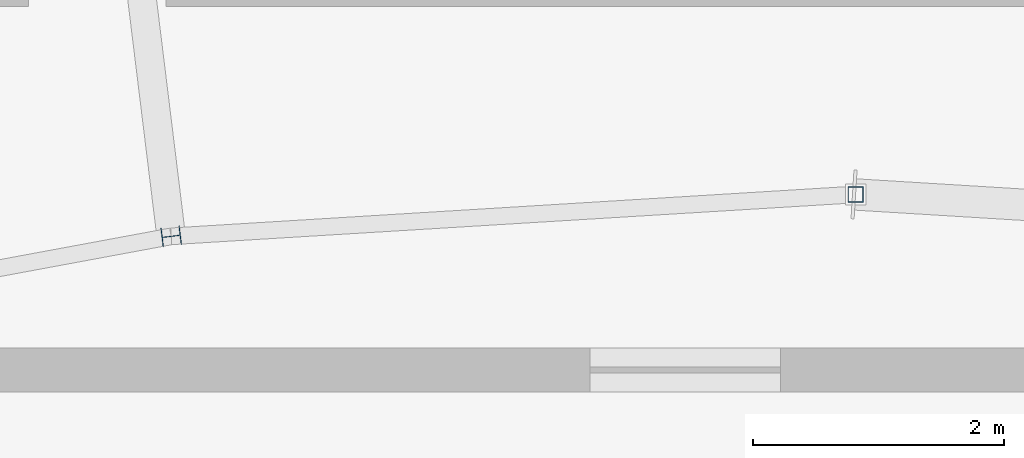
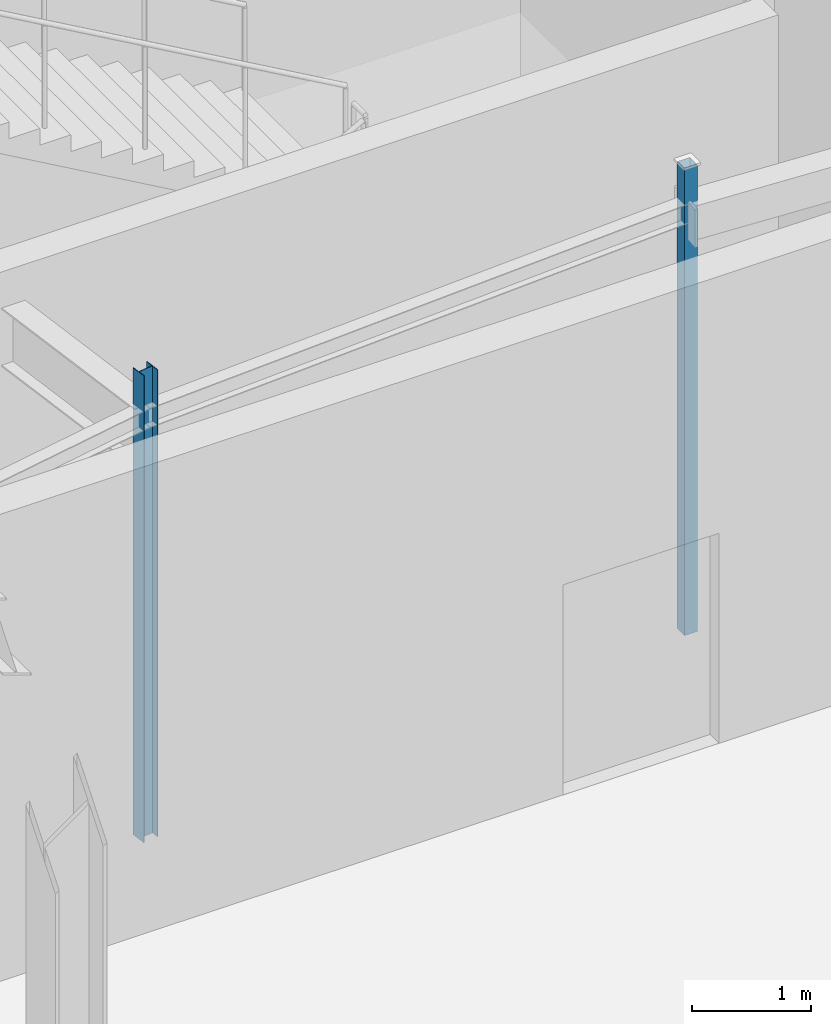
# One storey, part 26 of 186: 2 columns.
"""IFC4 building model written with IfcOpenShell, lengths in metres."""

from ifc_helpers import new_model, si_unit, direction, frame, origin, origin_2d, place, context, subcontext, project, spatial, hollow_rectangle, i_section, extrude, material, material_profile, profile_set, type_object, element, save


model = new_model("IFC4")

# Units and contexts
model_context = context("Model", 3, precision=1e-05, world=origin(), true_north=direction((0.0, 1.0)))
body_context = subcontext(model_context, "Body", "Model", "MODEL_VIEW")
ifc_project = project(units=[si_unit("LENGTHUNIT", "METRE"), si_unit("AREAUNIT", "SQUARE_METRE"), si_unit("VOLUMEUNIT", "CUBIC_METRE"), si_unit("PLANEANGLEUNIT", "RADIAN"), si_unit("MASSUNIT", "GRAM", prefix="KILO")], contexts=[model_context])

# Site, building, storey
site_placement = place(None, origin())
site = spatial("IfcSite", under=ifc_project, at=site_placement, CompositionType="ELEMENT")
building_placement = place(site_placement, origin())
building = spatial("IfcBuilding", under=site, at=building_placement, Name="Tarnwether General Hospital", CompositionType="ELEMENT")
storey_placement = place(building_placement, frame((0.0, 0.0, 9.60009765625)))
storey = spatial("IfcBuildingStorey", under=building, at=storey_placement, Name="L02", CompositionType="ELEMENT", Elevation=9.60009765625)

# Columns
ifc_material_1 = material(Name="Steel Grade 350 (350 MPa)", Category="steel")
ifc_material_profile_1 = material_profile(ifc_material_1, i_section(OverallWidth=0.152099609375, OverallDepth=0.152099609375, WebThickness=0.006103515625, FlangeThickness=0.0068359375, at=origin_2d()), Name="150UC23.4")
ifc_profile_set_1 = profile_set([ifc_material_profile_1], Name="Steel Grade 350 (350 MPa)")
column_type_1 = type_object("IfcColumnType", Name="COL-32", PredefinedType="COLUMN", material=ifc_profile_set_1)
column_1_placement = place(storey_placement, frame((86.5400390625, 107.466064453125, 0.0), z_axis=(0.0, 0.0, 1.0), x_axis=(-0.121869343405, 0.992546151641, 0.0)))
element("IfcColumn", 1, at=column_1_placement, inside=storey, type_object=column_type_1, Name="Column COLG-L02-8654_10747", PredefinedType="COLUMN", context=body_context, shape_type="SweptSolid", body=[
    extrude(i_section(OverallWidth=0.152099609375, OverallDepth=0.152099609375, WebThickness=0.006103515625, FlangeThickness=0.0068359375, at=origin_2d()), origin(), (0.0, 0.0, 1.0), 4.7998046875),
])
ifc_material_2 = material(Name="Steel Grade C350L0 (350 MPa)", Category="steel")
ifc_material_profile_2 = material_profile(ifc_material_2, hollow_rectangle(XDim=0.125, YDim=0.125, WallThickness=0.006103515625, at=origin_2d()), Name="SHS125x125x6")
ifc_profile_set_2 = profile_set([ifc_material_profile_2], Name="Steel Grade C350L0 (350 MPa)")
column_type_2 = type_object("IfcColumnType", Name="COL-34", PredefinedType="COLUMN", material=ifc_profile_set_2)
column_2_placement = place(storey_placement, frame((92.0, 107.800048828125, 0.0), z_axis=(0.0, 0.0, 1.0), x_axis=(0.0, 1.0, 0.0)))
element("IfcColumn", 2, at=column_2_placement, inside=storey, type_object=column_type_2, Name="Column COLG-L02-9200_10780", PredefinedType="COLUMN", context=body_context, shape_type="SweptSolid", body=[
    extrude(hollow_rectangle(XDim=0.125, YDim=0.125, WallThickness=0.006103515625, at=origin_2d()), origin(), (0.0, 0.0, 1.0), 4.7998046875),
])

save(model, "model.ifc")
